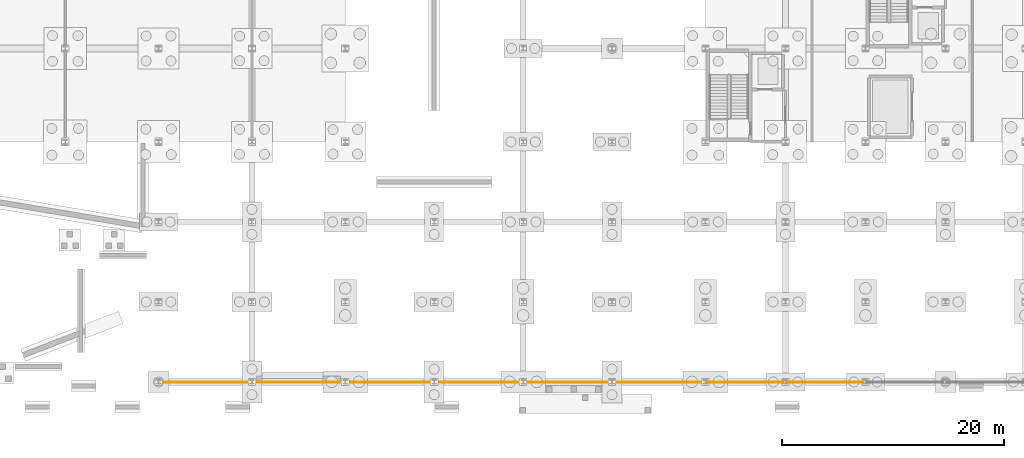
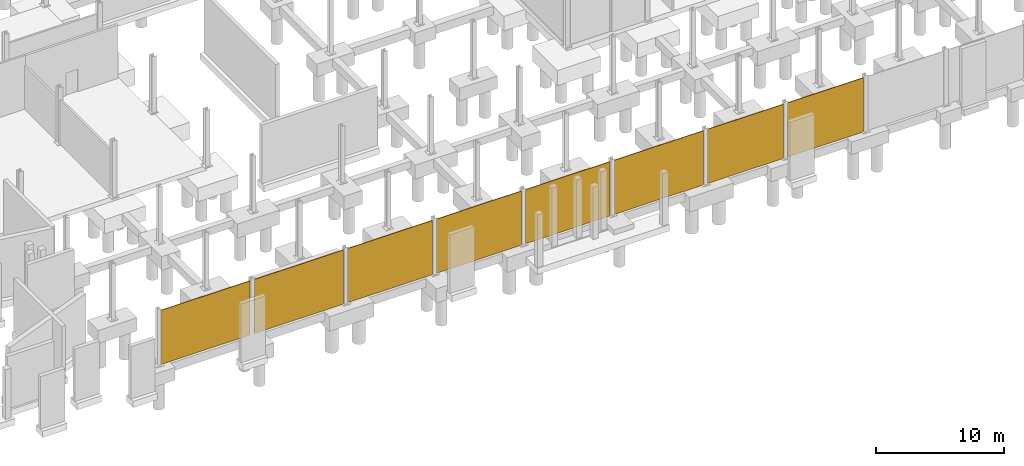
# One storey, part 52 of 61: 8 coverings.
"""IFC4 building model written with IfcOpenShell, lengths in metres."""

from ifc_helpers import new_model, si_unit, direction, frame, origin, place, context, subcontext, project, spatial, polyline, outline, extrude, material, layer, layer_set, type_object, element, save


model = new_model("IFC4")

# Units and contexts
model_context = context("Model", 3, precision=1e-05, world=origin(), true_north=direction((0.0, 1.0)))
body_context = subcontext(model_context, "Body", "Model", "MODEL_VIEW")
ifc_project = project(units=[si_unit("LENGTHUNIT", "METRE"), si_unit("AREAUNIT", "SQUARE_METRE"), si_unit("VOLUMEUNIT", "CUBIC_METRE"), si_unit("PLANEANGLEUNIT", "RADIAN"), si_unit("MASSUNIT", "GRAM", prefix="KILO")], contexts=[model_context])

# Site, building, storey
site_placement = place(None, origin())
site = spatial("IfcSite", under=ifc_project, at=site_placement, CompositionType="ELEMENT")
building_placement = place(site_placement, origin())
building = spatial("IfcBuilding", under=site, at=building_placement, Name="Calvrana Isthmian Art Gallery", CompositionType="ELEMENT")
storey_placement = place(building_placement, frame((0.0, 0.0, -5.39990234375)))
storey = spatial("IfcBuildingStorey", under=building, at=storey_placement, Name="B1", CompositionType="ELEMENT", Elevation=-5.39990234375)

# Coverings
ifc_material = material(Name="Pale Isthmian limestone", Category="masonry")
ifc_layer = layer(ifc_material, 0.06005859375, Name="Pale Isthmian limestone")
ifc_layer_set = layer_set([ifc_layer], Name="Pale Isthmian limestone")
covering_type = type_object("IfcCoveringType", Name="COV-PLINTH-LIME", PredefinedType="CLADDING", material=ifc_layer_set)
covering_1_placement = place(storey_placement, origin())
element("IfcCovering", 1, at=covering_1_placement, inside=storey, type_object=covering_type, Name="Limestone basement plinth panel X-001", PredefinedType="CLADDING", context=body_context, shape_type="SweptSolid", body=[
    extrude(outline(polyline([(63.781982421875, -0.06005859375), (71.8154296875, -0.06005859375), (71.8154296875, 0.0), (63.781982421875, 0.0), (63.781982421875, -0.06005859375)])), origin(), (0.0, 0.0, 1.0), 5.14990234375),
])
covering_2_placement = place(storey_placement, origin())
element("IfcCovering", 2, at=covering_2_placement, inside=storey, type_object=covering_type, Name="Limestone basement plinth panel X-002", PredefinedType="CLADDING", context=body_context, shape_type="SweptSolid", body=[
    extrude(outline(polyline([(72.1845703125, -0.06005859375), (80.215576171875, -0.06005859375), (80.215576171875, 0.0), (72.1845703125, 0.0), (72.1845703125, -0.06005859375)])), origin(), (0.0, 0.0, 1.0), 5.14990234375),
])
covering_3_placement = place(storey_placement, origin())
element("IfcCovering", 3, at=covering_3_placement, inside=storey, type_object=covering_type, Name="Limestone basement plinth panel X-003", PredefinedType="CLADDING", context=body_context, shape_type="SweptSolid", body=[
    extrude(outline(polyline([(80.58447265625, -0.06005859375), (88.216552734375, -0.06005859375), (88.216552734375, 0.0), (80.58447265625, 0.0), (80.58447265625, -0.06005859375)])), origin(), (0.0, 0.0, 1.0), 5.14990234375),
])
covering_4_placement = place(storey_placement, origin())
element("IfcCovering", 4, at=covering_4_placement, inside=storey, type_object=covering_type, Name="Limestone basement plinth panel X-004", PredefinedType="CLADDING", context=body_context, shape_type="SweptSolid", body=[
    extrude(outline(polyline([(88.58349609375, -0.06005859375), (96.218017578125, -0.06005859375), (96.218017578125, 0.0), (88.58349609375, 0.0), (88.58349609375, -0.06005859375)])), origin(), (0.0, 0.0, 1.0), 5.14990234375),
])
covering_5_placement = place(storey_placement, origin())
element("IfcCovering", 5, at=covering_5_placement, inside=storey, type_object=covering_type, Name="Limestone basement plinth panel X-005", PredefinedType="CLADDING", context=body_context, shape_type="SweptSolid", body=[
    extrude(outline(polyline([(96.58203125, -0.06005859375), (104.215576171875, -0.06005859375), (104.215576171875, 0.0), (96.58203125, 0.0), (96.58203125, -0.06005859375)])), origin(), (0.0, 0.0, 1.0), 5.14990234375),
])
covering_6_placement = place(storey_placement, origin())
element("IfcCovering", 6, at=covering_6_placement, inside=storey, type_object=covering_type, Name="Limestone basement plinth panel X-006", PredefinedType="CLADDING", context=body_context, shape_type="SweptSolid", body=[
    extrude(outline(polyline([(104.58447265625, -0.06005859375), (112.615478515625, -0.06005859375), (112.615478515625, 0.0), (104.58447265625, 0.0), (104.58447265625, -0.06005859375)])), origin(), (0.0, 0.0, 1.0), 5.14990234375),
])
covering_7_placement = place(storey_placement, origin())
element("IfcCovering", 7, at=covering_7_placement, inside=storey, type_object=covering_type, Name="Limestone basement plinth panel X-007", PredefinedType="CLADDING", context=body_context, shape_type="SweptSolid", body=[
    extrude(outline(polyline([(112.984619140625, -0.06005859375), (119.81640625, -0.06005859375), (119.81640625, 0.0), (112.984619140625, 0.0), (112.984619140625, -0.06005859375)])), origin(), (0.0, 0.0, 1.0), 5.14990234375),
])
covering_8_placement = place(storey_placement, origin())
element("IfcCovering", 8, at=covering_8_placement, inside=storey, type_object=covering_type, Name="Limestone basement plinth panel X-008", PredefinedType="CLADDING", context=body_context, shape_type="SweptSolid", body=[
    extrude(outline(polyline([(120.18359375, -0.06005859375), (127.01806640625, -0.06005859375), (127.01806640625, 0.0), (120.18359375, 0.0), (120.18359375, -0.06005859375)])), origin(), (0.0, 0.0, 1.0), 5.14990234375),
])

save(model, "model.ifc")
